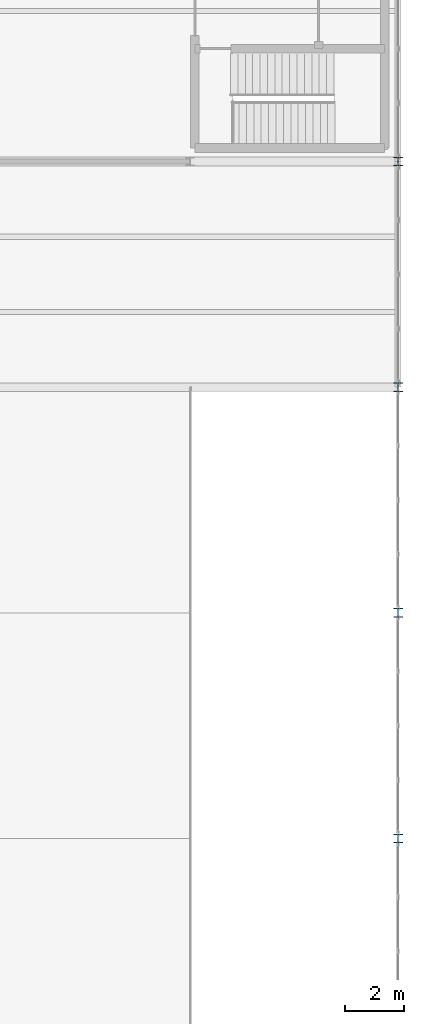
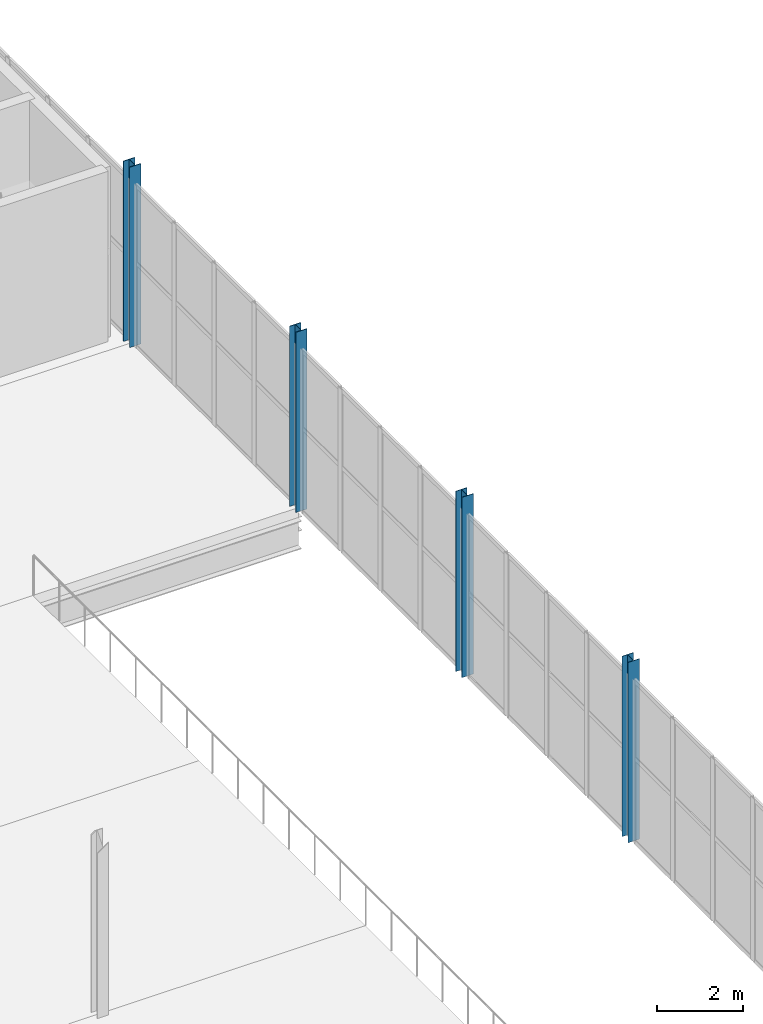
# One storey, part 24 of 218: 4 columns.
"""IFC4 building model written with IfcOpenShell, lengths in metres."""

from ifc_helpers import new_model, si_unit, direction, frame, origin, origin_2d, place, context, subcontext, project, spatial, i_section, extrude, material, material_profile, profile_set, type_object, element, save


model = new_model("IFC4")

# Units and contexts
model_context = context("Model", 3, precision=1e-05, world=origin(), true_north=direction((0.0, 1.0)))
body_context = subcontext(model_context, "Body", "Model", "MODEL_VIEW")
ifc_project = project(units=[si_unit("LENGTHUNIT", "METRE"), si_unit("AREAUNIT", "SQUARE_METRE"), si_unit("VOLUMEUNIT", "CUBIC_METRE"), si_unit("PLANEANGLEUNIT", "RADIAN"), si_unit("MASSUNIT", "GRAM", prefix="KILO")], contexts=[model_context])

# Site, building, storey
site_placement = place(None, origin())
site = spatial("IfcSite", under=ifc_project, at=site_placement, CompositionType="ELEMENT")
building_placement = place(site_placement, origin())
building = spatial("IfcBuilding", under=site, at=building_placement, Name="Kazenagashi Tramway Depot", CompositionType="ELEMENT")
storey_placement = place(building_placement, frame((0.0, 0.0, 6.0)))
storey = spatial("IfcBuildingStorey", under=building, at=storey_placement, Name="L02", CompositionType="ELEMENT", Elevation=6.0)

# Columns
ifc_material = material(Name="Steel SN490B", Category="steel")
ifc_material_profile = material_profile(ifc_material, i_section(OverallWidth=0.3, OverallDepth=0.3, WebThickness=0.01, FlangeThickness=0.015, at=origin_2d()), Name="H-300x300x10x15")
ifc_profile_set = profile_set([ifc_material_profile], Name="Steel SN490B")
column_type = type_object("IfcColumnType", Name="C-05", PredefinedType="COLUMN", material=ifc_profile_set)
for number, where, z_axis, x_axis, name in (
    (1, (196.0, 38.5, 0.0), (0.0, 0.0, 1.0), (1.0, 0.0, 0.0), "Column C-05 COL-0515"),
    (2, (196.0, 46.2, 0.0), (0.0, 0.0, 1.0), (1.0, 0.0, 0.0), "Column C-05 COL-0518"),
    (3, (196.0, 53.9, 0.0), (0.0, 0.0, 1.0), (1.0, 0.0, 0.0), "Column C-05 COL-0521"),
    (4, (196.0, 61.6, 0.0), (0.0, 0.0, 1.0), (1.0, 0.0, 0.0), "Column C-05 COL-0524"),
):
    element("IfcColumn", number, at=place(storey_placement, frame(where, z_axis=z_axis, x_axis=x_axis)), inside=storey, type_object=column_type, Name=name, PredefinedType="COLUMN", context=body_context, shape_type="SweptSolid", body=[
        extrude(i_section(OverallWidth=0.3, OverallDepth=0.3, WebThickness=0.01, FlangeThickness=0.015, at=origin_2d()), origin(), (0.0, 0.0, 1.0), 5.1),
    ])

save(model, "model.ifc")
